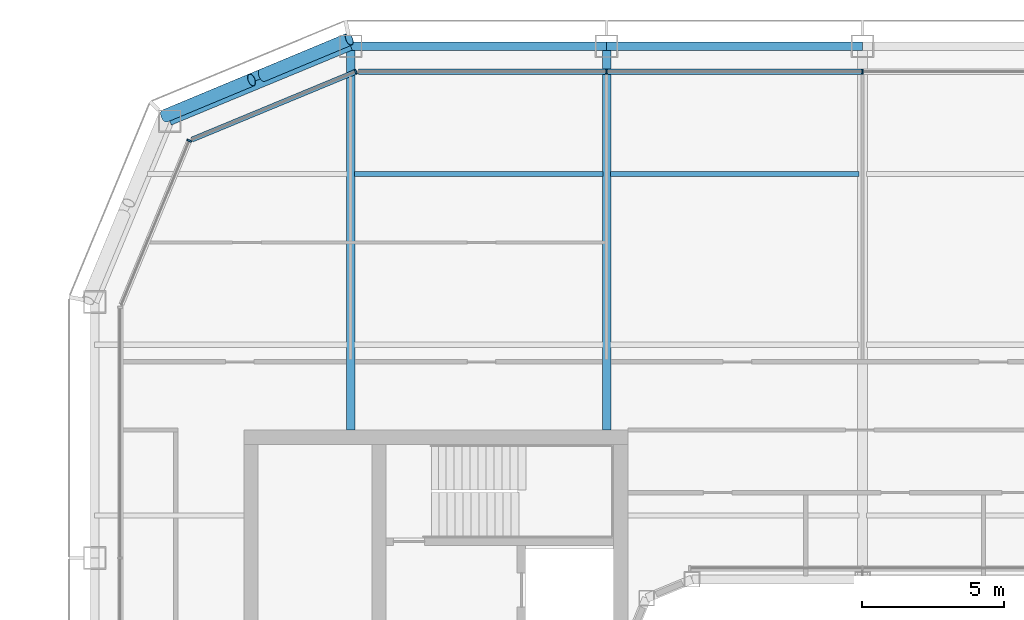
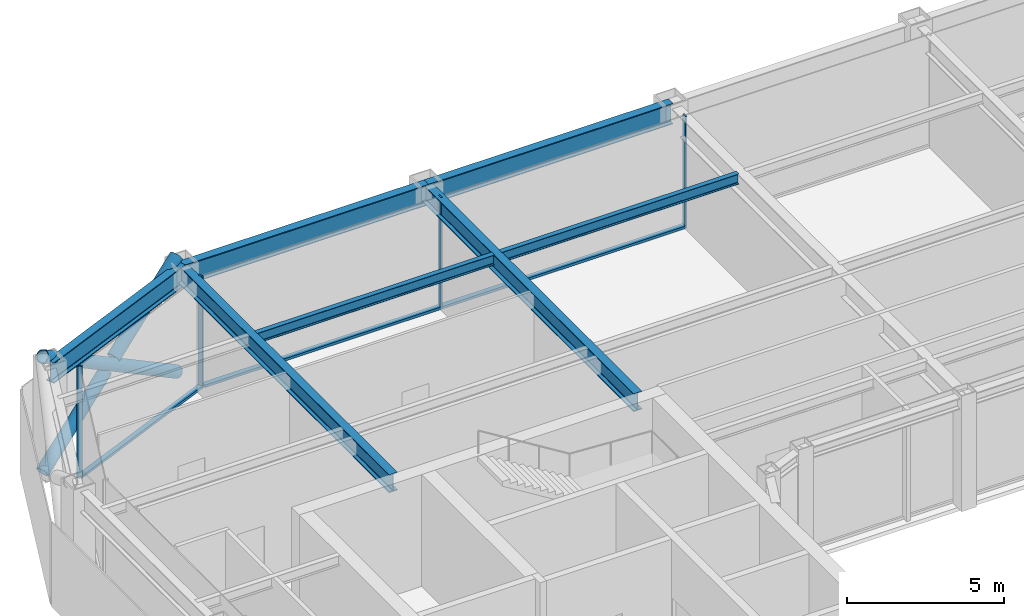
# One storey, part 8 of 23: 10 members, 7 beams, 3 elements without a shape of their own.
"""IFC4 building model written with IfcOpenShell, lengths in metres."""

from ifc_helpers import new_model, si_unit, direction, frame, origin, origin_2d, place, context, subcontext, project, spatial, rectangle, hollow_circle, i_section, extrude, material, layer, layer_set, material_profile, profile_set, type_object, element, aggregate, save


model = new_model("IFC4")

# Units and contexts
model_context = context("Model", 3, precision=1e-05, world=origin(), true_north=direction((0.0, 1.0)))
body_context = subcontext(model_context, "Body", "Model", "MODEL_VIEW")
ifc_project = project(units=[si_unit("LENGTHUNIT", "METRE"), si_unit("AREAUNIT", "SQUARE_METRE"), si_unit("VOLUMEUNIT", "CUBIC_METRE"), si_unit("PLANEANGLEUNIT", "RADIAN"), si_unit("MASSUNIT", "GRAM", prefix="KILO")], contexts=[model_context])

# Site, building, storey
site_placement = place(None, origin())
site = spatial("IfcSite", under=ifc_project, at=site_placement, CompositionType="ELEMENT")
building_placement = place(site_placement, origin())
building = spatial("IfcBuilding", under=site, at=building_placement, Name="Siwar Civic Tower", CompositionType="ELEMENT")
storey_placement = place(building_placement, frame((0.0, 0.0, 251.199951171875)))
storey = spatial("IfcBuildingStorey", under=building, at=storey_placement, Name="L54", CompositionType="ELEMENT", Elevation=251.199951171875)

# Curtain wall, members
ifc_material_1 = material(Name="Aluminium and glass", Category="aluminium")
ifc_layer_1 = layer(ifc_material_1, 0.179931640625)
ifc_layer_set_1 = layer_set([ifc_layer_1], Name="Aluminium and glass")
curtain_wall_type_1 = type_object("IfcCurtainWallType", Name="ENV-CW-C", PredefinedType="NOTDEFINED", material=ifc_layer_set_1)
curtain_wall_1_placement = place(storey_placement, origin())
curtain_wall_1 = element("IfcCurtainWall", 1, at=curtain_wall_1_placement, inside=storey, type_object=curtain_wall_type_1, Name="Curtain wall C N", PredefinedType="NOTDEFINED")
ifc_material_2 = material(Name="Aluminium 6063-T6", Category="aluminium")
ifc_material_profile_1 = material_profile(ifc_material_2, rectangle(XDim=0.179931640625, YDim=0.06005859375, at=origin_2d()), Name="AL 180x60")
ifc_profile_set_1 = profile_set([ifc_material_profile_1], Name="Aluminium 6063-T6")
member_type_1 = type_object("IfcMemberType", Name="ENV-MULLION-C", PredefinedType="MULLION", material=ifc_profile_set_1)
member_1_placement = place(storey_placement, frame((0.0, 26.10009765625, 0.0), z_axis=(0.0, 0.0, 1.0), x_axis=(0.0, -1.0, 0.0)))
member_1 = element("IfcMember", 2, at=member_1_placement, type_object=member_type_1, Name="Mullion C N 3", PredefinedType="MULLION", context=body_context, shape_type="SweptSolid", body=[
    extrude(rectangle(XDim=0.179931640625, YDim=0.06005859375, at=origin_2d()), origin(), (0.0, 0.0, 1.0), 4.35009765625),
])
member_2_placement = place(storey_placement, frame((-9.0, 26.10009765625, 0.0), z_axis=(0.0, 0.0, 1.0), x_axis=(0.0, -1.0, 0.0)))
member_2 = element("IfcMember", 3, at=member_2_placement, type_object=member_type_1, Name="Mullion C N 4", PredefinedType="MULLION", context=body_context, shape_type="SweptSolid", body=[
    extrude(rectangle(XDim=0.179931640625, YDim=0.06005859375, at=origin_2d()), origin(), (0.0, 0.0, 1.0), 4.35009765625),
])

# Curtain wall, member
ifc_material_3 = material(Name="Aluminium clad insulated panel", Category="aluminium")
ifc_layer_2 = layer(ifc_material_3, 0.179931640625)
ifc_layer_set_2 = layer_set([ifc_layer_2], Name="Aluminium clad insulated panel")
curtain_wall_type_2 = type_object("IfcCurtainWallType", Name="ENV-CW-CX", PredefinedType="NOTDEFINED", material=ifc_layer_set_2)
curtain_wall_2_placement = place(storey_placement, origin())
curtain_wall_2 = element("IfcCurtainWall", 4, at=curtain_wall_2_placement, inside=storey, type_object=curtain_wall_type_2, Name="Curtain wall C NW1", PredefinedType="NOTDEFINED")
member_3_placement = place(storey_placement, frame((-17.821044921875, 26.10009765625, 0.0), z_axis=(0.0, 0.0, 1.0), x_axis=(0.382683432365, -0.923879532511, 0.0)))
member_3 = element("IfcMember", 5, at=member_3_placement, type_object=member_type_1, Name="Mullion C NW1 1", PredefinedType="MULLION", context=body_context, shape_type="SweptSolid", body=[
    extrude(rectangle(XDim=0.179931640625, YDim=0.06005859375, at=origin_2d()), origin(), (0.0, 0.0, 1.0), 4.35009765625),
])

curtain_wall_3_placement = place(storey_placement, origin())
curtain_wall_3 = element("IfcCurtainWall", 6, at=curtain_wall_3_placement, inside=storey, type_object=curtain_wall_type_2, Name="Curtain wall C NW2", PredefinedType="NOTDEFINED")
member_4_placement = place(storey_placement, frame((-23.675048828125, 23.675048828125, 0.0), z_axis=(0.0, 0.0, 1.0), x_axis=(0.923879532511, -0.382683432365, 0.0)))
member_4 = element("IfcMember", 7, at=member_4_placement, type_object=member_type_1, Name="Mullion C NW2 1", PredefinedType="MULLION", context=body_context, shape_type="SweptSolid", body=[
    extrude(rectangle(XDim=0.179931640625, YDim=0.06005859375, at=origin_2d()), origin(), (0.0, 0.0, 1.0), 4.35009765625),
])
aggregate(curtain_wall_3, [member_4])

# Member
ifc_material_4 = material(Name="Aluminium 6063-T6", Category="aluminium")
ifc_material_profile_2 = material_profile(ifc_material_4, rectangle(XDim=0.179931640625, YDim=0.10009765625, at=origin_2d()), Name="AL 180x100")
ifc_profile_set_2 = profile_set([ifc_material_profile_2], Name="Aluminium 6063-T6")
member_type_2 = type_object("IfcMemberType", Name="ENV-TRANSOM-C", PredefinedType="USERDEFINED", material=ifc_profile_set_2)
member_5_placement = place(storey_placement, frame((-0.030029296875, 26.10009765625, 0.050048828125), z_axis=(-1.0, 0.0, 0.0), x_axis=(0.0, -1.0, 0.0)))
member_5 = element("IfcMember", 8, at=member_5_placement, type_object=member_type_2, Name="Transom C N 3", ObjectType="TRANSOM", PredefinedType="USERDEFINED", context=body_context, shape_type="SweptSolid", body=[
    extrude(rectangle(XDim=0.179931640625, YDim=0.10009765625, at=origin_2d()), origin(), (0.0, 0.0, 1.0), 8.93994140625),
])

member_6_placement = place(storey_placement, frame((-9.030029296875, 26.10009765625, 0.050048828125), z_axis=(-1.0, 0.0, 0.0), x_axis=(0.0, -1.0, 0.0)))
member_6 = element("IfcMember", 9, at=member_6_placement, type_object=member_type_2, Name="Transom C N 4", ObjectType="TRANSOM", PredefinedType="USERDEFINED", context=body_context, shape_type="SweptSolid", body=[
    extrude(rectangle(XDim=0.179931640625, YDim=0.10009765625, at=origin_2d()), origin(), (0.0, 0.0, 1.0), 8.68603515625),
])

aggregate(curtain_wall_1, [member_1, member_2, member_5, member_6])

member_7_placement = place(storey_placement, frame((-17.8486328125, 26.088623046875, 0.050048828125), z_axis=(-0.923882011223, -0.38267744817, 0.0), x_axis=(0.38267744817, -0.923882011223, 0.0)))
member_7 = element("IfcMember", 10, at=member_7_placement, type_object=member_type_2, Name="Transom C NW1 1", ObjectType="TRANSOM", PredefinedType="USERDEFINED", context=body_context, shape_type="SweptSolid", body=[
    extrude(rectangle(XDim=0.179931640625, YDim=0.10009765625, at=origin_2d()), origin(), (0.0, 0.0, 1.0), 6.201904296875),
])

aggregate(curtain_wall_2, [member_3, member_7])

# Members
ifc_material_5 = material(Name="Steel S355", Category="steel")
ifc_material_profile_3 = material_profile(ifc_material_5, hollow_circle(Radius=0.228515625, WallThickness=0.02001953125, at=origin_2d()), Name="CHS457x20")
ifc_profile_set_3 = profile_set([ifc_material_profile_3], Name="Steel S355")
member_type_3 = type_object("IfcMemberType", Name="STR-BR-CHS457x20", PredefinedType="BRACE", material=ifc_profile_set_3)
member_8_placement = place(storey_placement, frame((-18.048828125, 27.2451171875, 0.0), z_axis=(-0.777554562952, -0.323905527954, 0.538975055633), x_axis=(0.384538969033, -0.923108759191, 0.0)))
element("IfcMember", 11, at=member_8_placement, inside=storey, type_object=member_type_3, Name="L54/brc/CNW1-14-0-0", PredefinedType="BRACE", context=body_context, shape_type="SweptSolid", body=[
    extrude(hollow_circle(Radius=0.228515625, WallThickness=0.02001953125, at=origin_2d()), origin(), (0.0, 0.0, 1.0), 8.34912109375),
])
for number, where, z_axis, x_axis, name in (
    (12, (-24.540771484375, 24.540771484375, 0.0), (0.777546448489, 0.323884455881, 0.538999424564), (-0.38452107079, 0.92311621485, 0.0), "L54/brc/CNW1-14-0-4"),
    (13, (-21.10302734375, 25.972900390625, 2.383056640625), (0.777572496853, 0.323895306243, 0.538955325357), (-0.38452107079, 0.92311621485, 0.0), "L54/brc/CNW1-14-0-5"),
):
    element("IfcMember", number, at=place(storey_placement, frame(where, z_axis=z_axis, x_axis=x_axis)), inside=storey, type_object=member_type_3, Name=name, PredefinedType="BRACE", context=body_context, shape_type="SweptSolid", body=[
        extrude(hollow_circle(Radius=0.228515625, WallThickness=0.02001953125, at=origin_2d()), origin(), (0.0, 0.0, 1.0), 3.927978515625),
    ])

# Beams
ifc_material_6 = material(Name="Steel S355", Category="steel")
ifc_material_profile_4 = material_profile(ifc_material_6, i_section(OverallWidth=0.179931640625, OverallDepth=0.39990234375, WebThickness=0.008544921875, FlangeThickness=0.013427734375, FilletRadius=0.02099609375, at=origin_2d()), Name="IPE400")
ifc_profile_set_4 = profile_set([ifc_material_profile_4], Name="Steel S355")
beam_type_1 = type_object("IfcBeamType", Name="STR-FB-IPE400", PredefinedType="JOIST", material=ifc_profile_set_4)
for number, where, z_axis, x_axis, name in (
    (14, (-17.8701171875, 22.5, 4.150146484375), (1.0, 0.0, 0.0), (0.0, 1.0, 0.0), "L54/bm/F038"),
    (15, (-8.8701171875, 22.5, 4.150146484375), (1.0, 0.0, 0.0), (0.0, 1.0, 0.0), "L54/bm/F039"),
):
    element("IfcBeam", number, at=place(storey_placement, frame(where, z_axis=z_axis, x_axis=x_axis)), inside=storey, type_object=beam_type_1, Name=name, PredefinedType="JOIST", context=body_context, shape_type="SweptSolid", body=[
        extrude(i_section(OverallWidth=0.179931640625, OverallDepth=0.39990234375, WebThickness=0.008544921875, FlangeThickness=0.013427734375, FilletRadius=0.02099609375, at=origin_2d()), origin(), (0.0, 0.0, 1.0), 8.740234375),
    ])
ifc_material_7 = material(Name="Steel S355", Category="steel")
ifc_material_profile_5 = material_profile(ifc_material_7, i_section(OverallWidth=0.300048828125, OverallDepth=0.699951171875, WebThickness=0.01708984375, FlangeThickness=0.031982421875, FilletRadius=0.027099609375, at=origin_2d()), Name="HEB700")
ifc_profile_set_5 = profile_set([ifc_material_profile_5], Name="Steel S355")
beam_type_2 = type_object("IfcBeamType", Name="STR-PG-HEB700", PredefinedType="BEAM", material=ifc_profile_set_5)
for number, where, z_axis, x_axis, name in (
    (16, (-18.0, 13.5, 4.0), (0.0, 1.0, 0.0), (-1.0, 0.0, 0.0), "L54/bm/G02"),
    (17, (-9.0, 13.5, 4.0), (0.0, 1.0, 0.0), (-1.0, 0.0, 0.0), "L54/bm/G04"),
):
    element("IfcBeam", number, at=place(storey_placement, frame(where, z_axis=z_axis, x_axis=x_axis)), inside=storey, type_object=beam_type_2, Name=name, PredefinedType="BEAM", context=body_context, shape_type="SweptSolid", body=[
        extrude(i_section(OverallWidth=0.300048828125, OverallDepth=0.699951171875, WebThickness=0.01708984375, FlangeThickness=0.031982421875, FilletRadius=0.027099609375, at=origin_2d()), origin(), (0.0, 0.0, 1.0), 13.5),
    ])
ifc_material_8 = material(Name="Steel S355", Category="steel")
ifc_material_profile_6 = material_profile(ifc_material_8, i_section(OverallWidth=0.300048828125, OverallDepth=0.800048828125, WebThickness=0.017578125, FlangeThickness=0.032958984375, FilletRadius=0.030029296875, at=origin_2d()), Name="HEB800")
ifc_profile_set_6 = profile_set([ifc_material_profile_6], Name="Steel S355")
beam_type_3 = type_object("IfcBeamType", Name="STR-SB-HEB800", PredefinedType="BEAM", material=ifc_profile_set_6)
for number, where, z_axis, x_axis, name in (
    (18, (0.0, 27.0, 3.949951171875), (-1.0, 0.0, 0.0), (0.0, -1.0, 0.0), "L54/bm/SN-2"),
    (19, (-9.0, 27.0, 3.949951171875), (-1.0, 0.0, 0.0), (0.0, -1.0, 0.0), "L54/bm/SN-3"),
):
    element("IfcBeam", number, at=place(storey_placement, frame(where, z_axis=z_axis, x_axis=x_axis)), inside=storey, type_object=beam_type_3, Name=name, PredefinedType="BEAM", context=body_context, shape_type="SweptSolid", body=[
        extrude(i_section(OverallWidth=0.300048828125, OverallDepth=0.800048828125, WebThickness=0.017578125, FlangeThickness=0.032958984375, FilletRadius=0.030029296875, at=origin_2d()), origin(), (0.0, 0.0, 1.0), 9.0),
    ])
beam_placement = place(storey_placement, frame((-18.0, 27.0, 3.949951171875), z_axis=(-0.923883353507, -0.382674207535, 0.0), x_axis=(0.382674207535, -0.923883353507, 0.0)))
element("IfcBeam", 20, at=beam_placement, inside=storey, type_object=beam_type_3, Name="L54/bm/SNW1-0", PredefinedType="BEAM", context=body_context, shape_type="SweptSolid", body=[
    extrude(i_section(OverallWidth=0.300048828125, OverallDepth=0.800048828125, WebThickness=0.017578125, FlangeThickness=0.032958984375, FilletRadius=0.030029296875, at=origin_2d()), origin(), (0.0, 0.0, 1.0), 6.888427734375),
])

save(model, "model.ifc")
